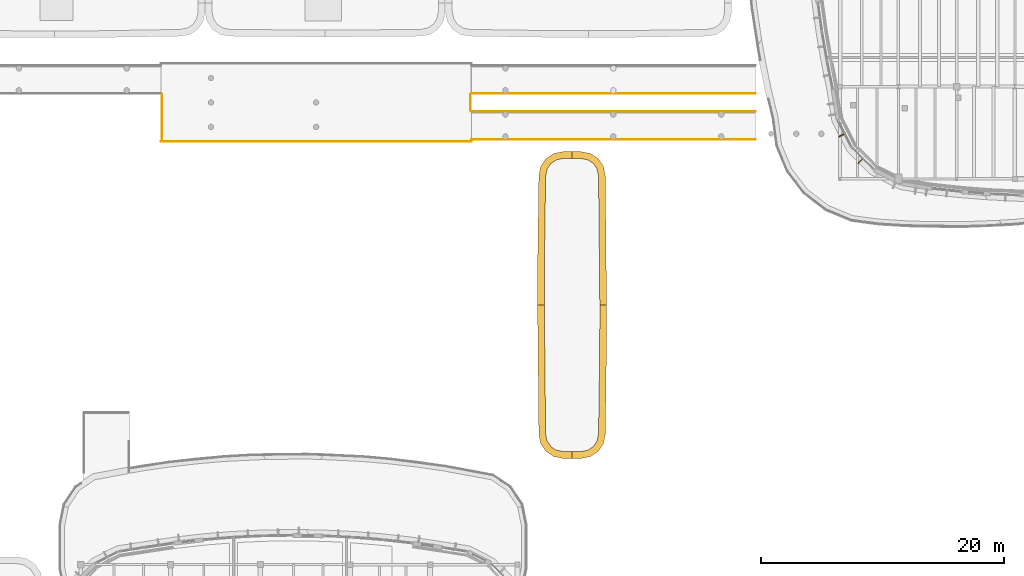
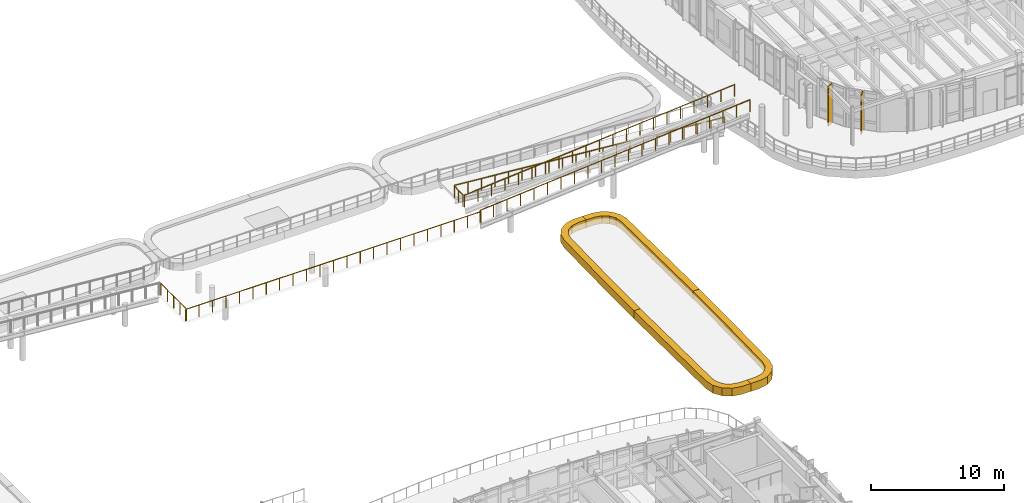
# One storey, part 102 of 111: 6 coverings, 6 railings.
"""IFC4 building model written with IfcOpenShell, lengths in metres."""

import ifcopenshell
import ifcopenshell.guid

model = None  # the IFC model being written
_history = None  # IfcOwnerHistory: only IFC2X3 demands one
_inside = {}  # id of a spatial element -> (the spatial element, [elements in it])
_under = {}  # id of a project, library or spatial element -> (it, [spatial elements below it])
_declared = {}  # id of a project -> (the project, [libraries it declares])
_typed = {}  # id of a type object -> (the type object, [elements of that type])
_made_of = {}  # id of a material, layer set ... -> (it, [elements and type objects made of it])


def new_model(schema):
    """Start an empty IFC model of exactly this schema.

    Asked for "IFC4X3", IfcOpenShell would pick the latest addendum, in which some entities
    have other attributes; the version numbers below select the first issue.
    IFC2X3 requires an IfcOwnerHistory on every rooted entity: one is made here for all.
    """
    global model, _history
    if schema == "IFC4X3":
        model = ifcopenshell.file(schema_version=(4, 3, 0, 0))
    else:
        model = ifcopenshell.file(schema=schema)
    _inside.clear()
    _under.clear()
    _declared.clear()
    _typed.clear()
    _made_of.clear()
    _history = None
    if model.schema == "IFC2X3":
        org = make("IfcOrganization", Name="unknown")
        user = make(
            "IfcPersonAndOrganization",
            ThePerson=make("IfcPerson", FamilyName="unknown"),
            TheOrganization=org,
        )
        app = make(
            "IfcApplication",
            ApplicationDeveloper=org,
            Version="unknown",
            ApplicationFullName="unknown",
            ApplicationIdentifier="unknown",
        )
        _history = make(
            "IfcOwnerHistory",
            OwningUser=user,
            OwningApplication=app,
            ChangeAction="ADDED",
            CreationDate=0,
        )
    return model


def make(cls, **values):
    """One entity of the class cls with the attributes given. An attribute that is None is left unset."""
    return model.create_entity(
        cls, **{name: value for name, value in values.items() if value is not None}
    )


def rooted(cls, **values):
    """An entity with a GlobalId (a new one), such as an element, a storey or a relation."""
    return make(cls, GlobalId=ifcopenshell.guid.new(), OwnerHistory=_history, **values)


def si_unit(unit_type, name, prefix=None):
    """IfcSIUnit, for example si_unit("LENGTHUNIT", "METRE", prefix="MILLI")."""
    return make("IfcSIUnit", UnitType=unit_type, Prefix=prefix, Name=name)


def assignment(units):
    """IfcUnitAssignment: the units of a project."""
    return None if units is None else make("IfcUnitAssignment", Units=units)


def point(xyz):
    """IfcCartesianPoint."""
    return None if xyz is None else make("IfcCartesianPoint", Coordinates=xyz)


def direction(xyz):
    """IfcDirection."""
    return None if xyz is None else make("IfcDirection", DirectionRatios=xyz)


def frame(location, z_axis=None, x_axis=None):
    """IfcAxis2Placement3D, a coordinate frame: its origin and axes. An axis left out is left unset."""
    return make(
        "IfcAxis2Placement3D",
        Location=point(location),
        Axis=direction(z_axis),
        RefDirection=direction(x_axis),
    )


def frame_2d(location, x_axis=None):
    """IfcAxis2Placement2D, a coordinate frame in the plane: its origin and x axis."""
    return make(
        "IfcAxis2Placement2D", Location=point(location), RefDirection=direction(x_axis)
    )


def origin():
    """The frame at (0, 0, 0) with its axes left unset."""
    return frame((0.0, 0.0, 0.0))


def origin_2d():
    """The frame at (0, 0) in the plane with its x axis left unset."""
    return frame_2d((0.0, 0.0))


def place(relative_to, where):
    """IfcLocalPlacement: puts the frame where relative to a parent placement (None: the world)."""
    return make(
        "IfcLocalPlacement", PlacementRelTo=relative_to, RelativePlacement=where
    )


def context(
    kind, dimensions, precision=None, world=None, true_north=None, identifier=None
):
    """IfcGeometricRepresentationContext, for example the 3D "Model" context."""
    return make(
        "IfcGeometricRepresentationContext",
        ContextIdentifier=identifier,
        ContextType=kind,
        CoordinateSpaceDimension=dimensions,
        Precision=precision,
        WorldCoordinateSystem=world,
        TrueNorth=true_north,
    )


def subcontext(parent, identifier, kind, view, scale=None):
    """IfcGeometricRepresentationSubContext, for example "Body" below "Model"."""
    return make(
        "IfcGeometricRepresentationSubContext",
        ContextIdentifier=identifier,
        ContextType=kind,
        ParentContext=parent,
        TargetScale=scale,
        TargetView=view,
    )


def project(units=None, contexts=None):
    """IfcProject with its units and contexts."""
    return rooted(
        "IfcProject",
        Name="project",
        RepresentationContexts=contexts,
        UnitsInContext=assignment(units),
    )


def spatial(cls, under=None, at=None, **own):
    """A site, building, storey or space (cls), placed at a placement, below another one or the project."""
    s = rooted(cls, ObjectPlacement=at, **own)
    if under is not None:
        _under.setdefault(under.id(), (under, []))[1].append(s)
    return s


def polyline(points):
    """IfcPolyline through the points."""
    return make("IfcPolyline", Points=[point(p) for p in points])


def profile(cls, at=None, kind="AREA", **sizes):
    """A parametric profile (cls). Its sizes go by their IFC names, for example OverallWidth=200.0."""
    return make(cls, ProfileType=kind, Position=at, **sizes)


def circle(**sizes):
    """IfcCircleProfileDef."""
    return profile("IfcCircleProfileDef", **sizes)


def outline(outer, holes=None, kind="AREA"):
    """IfcArbitraryClosedProfileDef: a profile drawn as a closed curve; with holes, ...WithVoids."""
    if holes is None:
        return make("IfcArbitraryClosedProfileDef", ProfileType=kind, OuterCurve=outer)
    return make(
        "IfcArbitraryProfileDefWithVoids",
        ProfileType=kind,
        OuterCurve=outer,
        InnerCurves=holes,
    )


def extrude(swept, where, along, depth):
    """IfcExtrudedAreaSolid: the profile swept, set in the frame where, extruded along a direction by depth."""
    return make(
        "IfcExtrudedAreaSolid",
        SweptArea=swept,
        Position=where,
        ExtrudedDirection=direction(along),
        Depth=depth,
    )


def shape(context_of_items, identifier, shape_type, items):
    """IfcShapeRepresentation: the items that make up one representation, for example the "Body"."""
    return make(
        "IfcShapeRepresentation",
        ContextOfItems=context_of_items,
        RepresentationIdentifier=identifier,
        RepresentationType=shape_type,
        Items=items,
    )


def material(Name=None, Category=None):
    """IfcMaterial."""
    return make("IfcMaterial", Name=Name, Category=Category)


def layer(
    of_material, thickness, ventilated=None, Name=None, Category=None, Priority=None
):
    """IfcMaterialLayer: one layer of a wall or slab, of a material (None: an air gap)."""
    return make(
        "IfcMaterialLayer",
        Material=of_material,
        LayerThickness=thickness,
        IsVentilated=ventilated,
        Name=Name,
        Category=Category,
        Priority=Priority,
    )


def layer_set(layers, Name=None):
    """IfcMaterialLayerSet."""
    return make("IfcMaterialLayerSet", MaterialLayers=layers, LayerSetName=Name)


def made_of(thing, what):
    """Note that an element or type object is made of a material, layer set ...; save() writes the relation."""
    if what is not None:
        _made_of.setdefault(what.id(), (what, []))[1].append(thing)
    return thing


def type_object(cls, material=None, **own):
    """A type object (cls), such as IfcWallType, which elements share."""
    return made_of(rooted(cls, **own), material)


def element(
    cls,
    number,
    at=None,
    inside=None,
    cuts=None,
    type_object=None,
    material=None,
    context=None,
    identifier="Body",
    shape_type=None,
    held_by="IfcProductDefinitionShape",
    body=None,
    shapes=None,
    **own,
):
    """One element of the class cls, such as IfcWall. Its Tag is "e" and its number.

    at: its placement. inside: the storey or other place that contains it. cuts: it is an
    opening in that element (IfcRelVoidsElement). A single representation is given by context,
    identifier, shape_type and body (its items); several are given by shapes. held_by: the class
    of the entity that holds the representations. save() writes the other relations.
    """
    e = rooted(cls, Tag="e%d" % number, ObjectPlacement=at, **own)
    if body is not None:
        shapes = [shape(context, identifier, shape_type, body)]
    if shapes is not None:
        e.Representation = make(held_by, Representations=shapes)
    if inside is not None:
        _inside.setdefault(inside.id(), (inside, []))[1].append(e)
    if cuts is not None:
        rooted(
            "IfcRelVoidsElement", RelatingBuildingElement=cuts, RelatedOpeningElement=e
        )
    if type_object is not None:
        _typed.setdefault(type_object.id(), (type_object, []))[1].append(e)
    return made_of(e, material)


def aggregate(whole, parts):
    """IfcRelAggregates: a whole, such as a stair, and the parts it consists of."""
    return rooted("IfcRelAggregates", RelatingObject=whole, RelatedObjects=parts)


def save(model, path):
    """Write the relations noted so far, then the file.

    IfcRelAggregates (storeys below a building ...), IfcRelContainedInSpatialStructure (elements
    in a storey), IfcRelDefinesByType, IfcRelAssociatesMaterial and IfcRelDeclares: one each for
    every whole, place, type object, material and project.
    """
    for whole, parts in _under.values():
        aggregate(whole, parts)
    for where, things in _inside.values():
        rooted(
            "IfcRelContainedInSpatialStructure",
            RelatedElements=things,
            RelatingStructure=where,
        )
    for kind, things in _typed.values():
        rooted("IfcRelDefinesByType", RelatedObjects=things, RelatingType=kind)
    for what, things in _made_of.values():
        rooted("IfcRelAssociatesMaterial", RelatedObjects=things, RelatingMaterial=what)
    for by, libraries in _declared.values():
        rooted("IfcRelDeclares", RelatingContext=by, RelatedDefinitions=libraries)
    model.write(path)


model = new_model("IFC4")

# Units and contexts
model_context = context("Model", 3, precision=1e-05, world=origin(), true_north=direction((0.0, 1.0)))
body_context = subcontext(model_context, "Body", "Model", "MODEL_VIEW")
ifc_project = project(units=[si_unit("LENGTHUNIT", "METRE"), si_unit("AREAUNIT", "SQUARE_METRE"), si_unit("VOLUMEUNIT", "CUBIC_METRE"), si_unit("PLANEANGLEUNIT", "RADIAN"), si_unit("MASSUNIT", "GRAM", prefix="KILO")], contexts=[model_context])

# Site, building, storey
site_placement = place(None, origin())
site = spatial("IfcSite", under=ifc_project, at=site_placement, CompositionType="ELEMENT")
building_placement = place(site_placement, origin())
building = spatial("IfcBuilding", under=site, at=building_placement, Name="Corveleigh Park Community Centre", CompositionType="ELEMENT")
storey_placement = place(building_placement, frame((0.0, 0.0, 4.800048828125)))
storey = spatial("IfcBuildingStorey", under=building, at=storey_placement, Name="L01", CompositionType="ELEMENT", Elevation=4.800048828125)

# Coverings
ifc_material_1 = material(Name="Warm buff ribbed architectural cladding", Category="masonry")
ifc_layer_1 = layer(ifc_material_1, 0.0849609375, Name="Warm buff ribbed architectural cladding", Category="masonry")
ifc_layer_set_1 = layer_set([ifc_layer_1], Name="Warm buff ribbed architectural cladding")
covering_type_1 = type_object("IfcCoveringType", Name="COV-CLD-BUF", PredefinedType="CLADDING", material=ifc_layer_set_1)
covering_1_placement = place(storey_placement, origin())
element("IfcCovering", 1, at=covering_1_placement, inside=storey, type_object=covering_type_1, Name="V4 L01 Brise-soleil blade 293", PredefinedType="CLADDING", context=body_context, shape_type="SweptSolid", body=[
    extrude(outline(polyline([(135.02099609375, 62.2939453125), (134.98193359375, 62.3701171875), (134.465087890625, 62.10595703125), (134.50390625, 62.031005859375), (135.02099609375, 62.2939453125)])), origin(), (0.0, 0.0, 1.0), 3.636962890625),
])
covering_2_placement = place(storey_placement, origin())
element("IfcCovering", 2, at=covering_2_placement, inside=storey, type_object=covering_type_1, Name="V4 L01 Brise-soleil blade 294", PredefinedType="CLADDING", context=body_context, shape_type="SweptSolid", body=[
    extrude(outline(polyline([(136.51708984375, 60.257080078125), (136.45703125, 60.31689453125), (136.047119140625, 59.906982421875), (136.10693359375, 59.846923828125), (136.51708984375, 60.257080078125)])), origin(), (0.0, 0.0, 1.0), 3.636962890625),
])
ifc_material_2 = material(Name="White architectural fascia cladding", Category="masonry")
ifc_layer_2 = layer(ifc_material_2, 0.074951171875, Name="White architectural fascia cladding", Category="masonry")
ifc_layer_set_2 = layer_set([ifc_layer_2], Name="White architectural fascia cladding")
covering_type_2 = type_object("IfcCoveringType", Name="COV-CLD-WHT", PredefinedType="CLADDING", material=ifc_layer_set_2)
covering_3_placement = place(storey_placement, frame((0.0, 0.0, -0.52001953125)))
element("IfcCovering", 3, at=covering_3_placement, inside=storey, type_object=covering_type_2, Name="Covered Passage East Canopy White Fascia 1", PredefinedType="CLADDING", context=body_context, shape_type="SweptSolid", body=[
    extrude(outline(polyline([(113.256103515625, 60.840087890625), (114.014892578125, 60.68896484375), (114.658935546875, 60.259033203125), (115.089111328125, 59.614990234375), (115.239013671875, 58.864013671875), (115.345947265625, 48.200927734375), (114.785888671875, 48.200927734375), (114.680908203125, 58.802001953125), (114.56201171875, 59.39697265625), (114.256103515625, 59.85595703125), (113.797119140625, 60.162109375), (113.205078125, 60.280029296875), (112.506103515625, 60.280029296875), (112.506103515625, 60.840087890625), (113.256103515625, 60.840087890625)])), origin(), (0.0, 0.0, 1.0), 0.719970703125),
])
covering_4_placement = place(storey_placement, frame((0.0, 0.0, -0.52001953125)))
element("IfcCovering", 4, at=covering_4_placement, inside=storey, type_object=covering_type_2, Name="Covered Passage East Canopy White Fascia 2", PredefinedType="CLADDING", context=body_context, shape_type="SweptSolid", body=[
    extrude(outline(polyline([(109.662109375, 51.751953125), (109.760009765625, 58.85693359375), (109.910888671875, 59.614990234375), (110.341064453125, 60.259033203125), (110.985107421875, 60.68896484375), (111.736083984375, 60.839111328125), (112.493896484375, 60.840087890625), (112.493896484375, 60.280029296875), (111.794921875, 60.280029296875), (111.202880859375, 60.162109375), (110.743896484375, 59.85595703125), (110.43798828125, 59.39697265625), (110.319091796875, 58.801025390625), (110.221923828125, 51.748046875), (110.214111328125, 48.200927734375), (109.654052734375, 48.200927734375), (109.662109375, 51.751953125)])), origin(), (0.0, 0.0, 1.0), 0.719970703125),
])
covering_5_placement = place(storey_placement, frame((0.0, 0.0, -0.52001953125)))
element("IfcCovering", 5, at=covering_5_placement, inside=storey, type_object=covering_type_2, Name="Covered Passage East Canopy White Fascia 3", PredefinedType="CLADDING", context=body_context, shape_type="SweptSolid", body=[
    extrude(outline(polyline([(110.97802734375, 35.715087890625), (110.3359375, 36.14697265625), (109.910888671875, 36.784912109375), (109.760986328125, 37.535888671875), (109.654052734375, 48.198974609375), (110.214111328125, 48.198974609375), (110.319091796875, 37.597900390625), (110.43798828125, 37.0029296875), (110.743896484375, 36.5439453125), (111.202880859375, 36.238037109375), (111.794921875, 36.1201171875), (112.493896484375, 36.1201171875), (112.493896484375, 35.56005859375), (111.736083984375, 35.56103515625), (110.97802734375, 35.715087890625)])), origin(), (0.0, 0.0, 1.0), 0.719970703125),
])
covering_6_placement = place(storey_placement, frame((0.0, 0.0, -0.52001953125)))
element("IfcCovering", 6, at=covering_6_placement, inside=storey, type_object=covering_type_2, Name="Covered Passage East Canopy White Fascia 4", PredefinedType="CLADDING", context=body_context, shape_type="SweptSolid", body=[
    extrude(outline(polyline([(115.337890625, 44.64794921875), (115.239990234375, 37.54296875), (115.089111328125, 36.784912109375), (114.658935546875, 36.14111328125), (114.014892578125, 35.7109375), (113.263916015625, 35.56103515625), (112.506103515625, 35.56005859375), (112.506103515625, 36.1201171875), (113.205078125, 36.1201171875), (113.797119140625, 36.238037109375), (114.256103515625, 36.5439453125), (114.56201171875, 37.0029296875), (114.680908203125, 37.59912109375), (114.778076171875, 44.652099609375), (114.785888671875, 48.198974609375), (115.345947265625, 48.198974609375), (115.337890625, 44.64794921875)])), origin(), (0.0, 0.0, 1.0), 0.719970703125),
])

# Railings
ifc_material_3 = material(Name="Stainless steel 316 balustrade", Category="steel")
railing_type = type_object("IfcRailingType", Name="RLG-BAL-EXT-1100", PredefinedType="BALUSTRADE", material=ifc_material_3)
railing_1_placement = place(storey_placement, frame((127.60009765625, 65.64990234375, 0.0)))
element("IfcRailing", 7, at=railing_1_placement, inside=storey, type_object=railing_type, Name="Courtyard West Roof Promenade Ramp Lower Guard L", PredefinedType="BALUSTRADE", context=body_context, shape_type="SweptSolid", body=[
    extrude(circle(Radius=0.02392578125, at=origin_2d()), frame((0.0, 0.0, 1.076171875), z_axis=(-0.996545973357, 0.0, 0.083042898465), x_axis=(0.0, -1.0, 0.0)), (0.0, 0.0, 1.0), 23.481201171875),
    extrude(circle(Radius=0.02099609375, at=origin_2d()), origin(), (0.0, 0.0, 1.0), 1.052001953125),
    extrude(circle(Radius=0.02099609375, at=origin_2d()), frame((-1.169921875, 0.0, 0.097412109375)), (0.0, 0.0, 1.0), 1.052001953125),
    extrude(circle(Radius=0.02099609375, at=origin_2d()), frame((-2.340087890625, 0.0, 0.195068359375)), (0.0, 0.0, 1.0), 1.052001953125),
    extrude(circle(Radius=0.02099609375, at=origin_2d()), frame((-3.510009765625, 0.0, 0.29248046875)), (0.0, 0.0, 1.0), 1.052001953125),
    extrude(circle(Radius=0.02099609375, at=origin_2d()), frame((-4.679931640625, 0.0, 0.389892578125)), (0.0, 0.0, 1.0), 1.052001953125),
    extrude(circle(Radius=0.02099609375, at=origin_2d()), frame((-5.85009765625, 0.0, 0.487548828125)), (0.0, 0.0, 1.0), 1.052001953125),
    extrude(circle(Radius=0.02099609375, at=origin_2d()), frame((-7.02001953125, 0.0, 0.5849609375)), (0.0, 0.0, 1.0), 1.052001953125),
    extrude(circle(Radius=0.02099609375, at=origin_2d()), frame((-8.18994140625, 0.0, 0.682373046875)), (0.0, 0.0, 1.0), 1.052001953125),
    extrude(circle(Radius=0.02099609375, at=origin_2d()), frame((-9.360107421875, 0.0, 0.780029296875)), (0.0, 0.0, 1.0), 1.052001953125),
    extrude(circle(Radius=0.02099609375, at=origin_2d()), frame((-10.530029296875, 0.0, 0.87744140625)), (0.0, 0.0, 1.0), 1.052001953125),
    extrude(circle(Radius=0.02099609375, at=origin_2d()), frame((-11.7001953125, 0.0, 0.97509765625)), (0.0, 0.0, 1.0), 1.052001953125),
    extrude(circle(Radius=0.02099609375, at=origin_2d()), frame((-12.8701171875, 0.0, 1.072509765625)), (0.0, 0.0, 1.0), 1.052001953125),
    extrude(circle(Radius=0.02099609375, at=origin_2d()), frame((-14.0400390625, 0.0, 1.169921875)), (0.0, 0.0, 1.0), 1.052001953125),
    extrude(circle(Radius=0.02099609375, at=origin_2d()), frame((-15.210205078125, 0.0, 1.267578125)), (0.0, 0.0, 1.0), 1.052001953125),
    extrude(circle(Radius=0.02099609375, at=origin_2d()), frame((-16.380126953125, 0.0, 1.364990234375)), (0.0, 0.0, 1.0), 1.052001953125),
    extrude(circle(Radius=0.02099609375, at=origin_2d()), frame((-17.550048828125, 0.0, 1.46240234375)), (0.0, 0.0, 1.0), 1.052001953125),
    extrude(circle(Radius=0.02099609375, at=origin_2d()), frame((-18.72021484375, 0.0, 1.56005859375)), (0.0, 0.0, 1.0), 1.052001953125),
    extrude(circle(Radius=0.02099609375, at=origin_2d()), frame((-19.89013671875, 0.0, 1.657470703125)), (0.0, 0.0, 1.0), 1.052001953125),
    extrude(circle(Radius=0.02099609375, at=origin_2d()), frame((-21.06005859375, 0.0, 1.7548828125)), (0.0, 0.0, 1.0), 1.052001953125),
    extrude(circle(Radius=0.02099609375, at=origin_2d()), frame((-22.230224609375, 0.0, 1.8525390625)), (0.0, 0.0, 1.0), 1.052001953125),
    extrude(circle(Radius=0.02099609375, at=origin_2d()), frame((-23.400146484375, 0.0, 1.949951171875)), (0.0, 0.0, 1.0), 1.052001953125),
])
railing_2_placement = place(storey_placement, frame((104.199951171875, 64.14990234375, 1.949951171875)))
element("IfcRailing", 8, at=railing_2_placement, inside=storey, type_object=railing_type, Name="Courtyard East Roof Promenade Ramp Upper Guard L", PredefinedType="BALUSTRADE", context=body_context, shape_type="SweptSolid", body=[
    extrude(circle(Radius=0.02392578125, at=origin_2d()), frame((0.0, 0.0, 1.076171875), z_axis=(0.996545973357, 0.0, 0.083042898465), x_axis=(0.0, 1.0, 0.0)), (0.0, 0.0, 1.0), 23.481201171875),
    extrude(circle(Radius=0.02099609375, at=origin_2d()), origin(), (0.0, 0.0, 1.0), 1.052001953125),
    extrude(circle(Radius=0.02099609375, at=origin_2d()), frame((1.169921875, 0.0, 0.097412109375)), (0.0, 0.0, 1.0), 1.052001953125),
    extrude(circle(Radius=0.02099609375, at=origin_2d()), frame((2.340087890625, 0.0, 0.195068359375)), (0.0, 0.0, 1.0), 1.052001953125),
    extrude(circle(Radius=0.02099609375, at=origin_2d()), frame((3.510009765625, 0.0, 0.29248046875)), (0.0, 0.0, 1.0), 1.052001953125),
    extrude(circle(Radius=0.02099609375, at=origin_2d()), frame((4.679931640625, 0.0, 0.389892578125)), (0.0, 0.0, 1.0), 1.052001953125),
    extrude(circle(Radius=0.02099609375, at=origin_2d()), frame((5.85009765625, 0.0, 0.487548828125)), (0.0, 0.0, 1.0), 1.052001953125),
    extrude(circle(Radius=0.02099609375, at=origin_2d()), frame((7.02001953125, 0.0, 0.5849609375)), (0.0, 0.0, 1.0), 1.052001953125),
    extrude(circle(Radius=0.02099609375, at=origin_2d()), frame((8.18994140625, 0.0, 0.682373046875)), (0.0, 0.0, 1.0), 1.052001953125),
    extrude(circle(Radius=0.02099609375, at=origin_2d()), frame((9.360107421875, 0.0, 0.780029296875)), (0.0, 0.0, 1.0), 1.052001953125),
    extrude(circle(Radius=0.02099609375, at=origin_2d()), frame((10.530029296875, 0.0, 0.87744140625)), (0.0, 0.0, 1.0), 1.052001953125),
    extrude(circle(Radius=0.02099609375, at=origin_2d()), frame((11.7001953125, 0.0, 0.97509765625)), (0.0, 0.0, 1.0), 1.052001953125),
    extrude(circle(Radius=0.02099609375, at=origin_2d()), frame((12.8701171875, 0.0, 1.072509765625)), (0.0, 0.0, 1.0), 1.052001953125),
    extrude(circle(Radius=0.02099609375, at=origin_2d()), frame((14.0400390625, 0.0, 1.169921875)), (0.0, 0.0, 1.0), 1.052001953125),
    extrude(circle(Radius=0.02099609375, at=origin_2d()), frame((15.210205078125, 0.0, 1.267578125)), (0.0, 0.0, 1.0), 1.052001953125),
    extrude(circle(Radius=0.02099609375, at=origin_2d()), frame((16.380126953125, 0.0, 1.364990234375)), (0.0, 0.0, 1.0), 1.052001953125),
    extrude(circle(Radius=0.02099609375, at=origin_2d()), frame((17.550048828125, 0.0, 1.46240234375)), (0.0, 0.0, 1.0), 1.052001953125),
    extrude(circle(Radius=0.02099609375, at=origin_2d()), frame((18.72021484375, 0.0, 1.56005859375)), (0.0, 0.0, 1.0), 1.052001953125),
    extrude(circle(Radius=0.02099609375, at=origin_2d()), frame((19.89013671875, 0.0, 1.657470703125)), (0.0, 0.0, 1.0), 1.052001953125),
    extrude(circle(Radius=0.02099609375, at=origin_2d()), frame((21.06005859375, 0.0, 1.7548828125)), (0.0, 0.0, 1.0), 1.052001953125),
    extrude(circle(Radius=0.02099609375, at=origin_2d()), frame((22.230224609375, 0.0, 1.8525390625)), (0.0, 0.0, 1.0), 1.052001953125),
    extrude(circle(Radius=0.02099609375, at=origin_2d()), frame((23.400146484375, 0.0, 1.949951171875)), (0.0, 0.0, 1.0), 1.052001953125),
])
railing_3_placement = place(storey_placement, frame((104.199951171875, 61.85009765625, 1.949951171875)))
element("IfcRailing", 9, at=railing_3_placement, inside=storey, type_object=railing_type, Name="Courtyard East Roof Promenade Ramp Upper Guard R", PredefinedType="BALUSTRADE", context=body_context, shape_type="SweptSolid", body=[
    extrude(circle(Radius=0.02392578125, at=origin_2d()), frame((0.0, 0.0, 1.076171875), z_axis=(0.996545973357, 0.0, 0.083042898465), x_axis=(0.0, 1.0, 0.0)), (0.0, 0.0, 1.0), 23.481201171875),
    extrude(circle(Radius=0.02099609375, at=origin_2d()), origin(), (0.0, 0.0, 1.0), 1.052001953125),
    extrude(circle(Radius=0.02099609375, at=origin_2d()), frame((1.169921875, 0.0, 0.097412109375)), (0.0, 0.0, 1.0), 1.052001953125),
    extrude(circle(Radius=0.02099609375, at=origin_2d()), frame((2.340087890625, 0.0, 0.195068359375)), (0.0, 0.0, 1.0), 1.052001953125),
    extrude(circle(Radius=0.02099609375, at=origin_2d()), frame((3.510009765625, 0.0, 0.29248046875)), (0.0, 0.0, 1.0), 1.052001953125),
    extrude(circle(Radius=0.02099609375, at=origin_2d()), frame((4.679931640625, 0.0, 0.389892578125)), (0.0, 0.0, 1.0), 1.052001953125),
    extrude(circle(Radius=0.02099609375, at=origin_2d()), frame((5.85009765625, 0.0, 0.487548828125)), (0.0, 0.0, 1.0), 1.052001953125),
    extrude(circle(Radius=0.02099609375, at=origin_2d()), frame((7.02001953125, 0.0, 0.5849609375)), (0.0, 0.0, 1.0), 1.052001953125),
    extrude(circle(Radius=0.02099609375, at=origin_2d()), frame((8.18994140625, 0.0, 0.682373046875)), (0.0, 0.0, 1.0), 1.052001953125),
    extrude(circle(Radius=0.02099609375, at=origin_2d()), frame((9.360107421875, 0.0, 0.780029296875)), (0.0, 0.0, 1.0), 1.052001953125),
    extrude(circle(Radius=0.02099609375, at=origin_2d()), frame((10.530029296875, 0.0, 0.87744140625)), (0.0, 0.0, 1.0), 1.052001953125),
    extrude(circle(Radius=0.02099609375, at=origin_2d()), frame((11.7001953125, 0.0, 0.97509765625)), (0.0, 0.0, 1.0), 1.052001953125),
    extrude(circle(Radius=0.02099609375, at=origin_2d()), frame((12.8701171875, 0.0, 1.072509765625)), (0.0, 0.0, 1.0), 1.052001953125),
    extrude(circle(Radius=0.02099609375, at=origin_2d()), frame((14.0400390625, 0.0, 1.169921875)), (0.0, 0.0, 1.0), 1.052001953125),
    extrude(circle(Radius=0.02099609375, at=origin_2d()), frame((15.210205078125, 0.0, 1.267578125)), (0.0, 0.0, 1.0), 1.052001953125),
    extrude(circle(Radius=0.02099609375, at=origin_2d()), frame((16.380126953125, 0.0, 1.364990234375)), (0.0, 0.0, 1.0), 1.052001953125),
    extrude(circle(Radius=0.02099609375, at=origin_2d()), frame((17.550048828125, 0.0, 1.46240234375)), (0.0, 0.0, 1.0), 1.052001953125),
    extrude(circle(Radius=0.02099609375, at=origin_2d()), frame((18.72021484375, 0.0, 1.56005859375)), (0.0, 0.0, 1.0), 1.052001953125),
    extrude(circle(Radius=0.02099609375, at=origin_2d()), frame((19.89013671875, 0.0, 1.657470703125)), (0.0, 0.0, 1.0), 1.052001953125),
    extrude(circle(Radius=0.02099609375, at=origin_2d()), frame((21.06005859375, 0.0, 1.7548828125)), (0.0, 0.0, 1.0), 1.052001953125),
    extrude(circle(Radius=0.02099609375, at=origin_2d()), frame((22.230224609375, 0.0, 1.8525390625)), (0.0, 0.0, 1.0), 1.052001953125),
    extrude(circle(Radius=0.02099609375, at=origin_2d()), frame((23.400146484375, 0.0, 1.949951171875)), (0.0, 0.0, 1.0), 1.052001953125),
])
railing_4_placement = place(storey_placement, frame((78.60009765625, 61.679931640625, 1.949951171875)))
element("IfcRailing", 10, at=railing_4_placement, inside=storey, type_object=railing_type, Name="Roof Promenade Bridge Guard RLG-PBRG-WM-S", PredefinedType="BALUSTRADE", context=body_context, shape_type="SweptSolid", body=[
    extrude(circle(Radius=0.02392578125, at=origin_2d()), frame((0.0, 0.0, 1.076171875), z_axis=(1.0, 0.0, 0.0), x_axis=(0.0, 1.0, 0.0)), (0.0, 0.0, 1.0), 25.599853515625),
    extrude(circle(Radius=0.02099609375, at=origin_2d()), origin(), (0.0, 0.0, 1.0), 1.052001953125),
    extrude(circle(Radius=0.02099609375, at=origin_2d()), frame((1.16357421875, 0.0, 0.0)), (0.0, 0.0, 1.0), 1.052001953125),
    extrude(circle(Radius=0.02099609375, at=origin_2d()), frame((2.3271484375, 0.0, 0.0)), (0.0, 0.0, 1.0), 1.052001953125),
    extrude(circle(Radius=0.02099609375, at=origin_2d()), frame((3.490966796875, 0.0, 0.0)), (0.0, 0.0, 1.0), 1.052001953125),
    extrude(circle(Radius=0.02099609375, at=origin_2d()), frame((4.654541015625, 0.0, 0.0)), (0.0, 0.0, 1.0), 1.052001953125),
    extrude(circle(Radius=0.02099609375, at=origin_2d()), frame((5.818115234375, 0.0, 0.0)), (0.0, 0.0, 1.0), 1.052001953125),
    extrude(circle(Radius=0.02099609375, at=origin_2d()), frame((6.981689453125, 0.0, 0.0)), (0.0, 0.0, 1.0), 1.052001953125),
    extrude(circle(Radius=0.02099609375, at=origin_2d()), frame((8.1455078125, 0.0, 0.0)), (0.0, 0.0, 1.0), 1.052001953125),
    extrude(circle(Radius=0.02099609375, at=origin_2d()), frame((9.30908203125, 0.0, 0.0)), (0.0, 0.0, 1.0), 1.052001953125),
    extrude(circle(Radius=0.02099609375, at=origin_2d()), frame((10.47265625, 0.0, 0.0)), (0.0, 0.0, 1.0), 1.052001953125),
    extrude(circle(Radius=0.02099609375, at=origin_2d()), frame((11.63623046875, 0.0, 0.0)), (0.0, 0.0, 1.0), 1.052001953125),
    extrude(circle(Radius=0.02099609375, at=origin_2d()), frame((12.7998046875, 0.0, 0.0)), (0.0, 0.0, 1.0), 1.052001953125),
    extrude(circle(Radius=0.02099609375, at=origin_2d()), frame((13.963623046875, 0.0, 0.0)), (0.0, 0.0, 1.0), 1.052001953125),
    extrude(circle(Radius=0.02099609375, at=origin_2d()), frame((15.127197265625, 0.0, 0.0)), (0.0, 0.0, 1.0), 1.052001953125),
    extrude(circle(Radius=0.02099609375, at=origin_2d()), frame((16.290771484375, 0.0, 0.0)), (0.0, 0.0, 1.0), 1.052001953125),
    extrude(circle(Radius=0.02099609375, at=origin_2d()), frame((17.454345703125, 0.0, 0.0)), (0.0, 0.0, 1.0), 1.052001953125),
    extrude(circle(Radius=0.02099609375, at=origin_2d()), frame((18.6181640625, 0.0, 0.0)), (0.0, 0.0, 1.0), 1.052001953125),
    extrude(circle(Radius=0.02099609375, at=origin_2d()), frame((19.78173828125, 0.0, 0.0)), (0.0, 0.0, 1.0), 1.052001953125),
    extrude(circle(Radius=0.02099609375, at=origin_2d()), frame((20.9453125, 0.0, 0.0)), (0.0, 0.0, 1.0), 1.052001953125),
    extrude(circle(Radius=0.02099609375, at=origin_2d()), frame((22.10888671875, 0.0, 0.0)), (0.0, 0.0, 1.0), 1.052001953125),
    extrude(circle(Radius=0.02099609375, at=origin_2d()), frame((23.272705078125, 0.0, 0.0)), (0.0, 0.0, 1.0), 1.052001953125),
    extrude(circle(Radius=0.02099609375, at=origin_2d()), frame((24.436279296875, 0.0, 0.0)), (0.0, 0.0, 1.0), 1.052001953125),
    extrude(circle(Radius=0.02099609375, at=origin_2d()), frame((25.599853515625, 0.0, 0.0)), (0.0, 0.0, 1.0), 1.052001953125),
])
railing_5_placement = place(storey_placement, frame((78.679931640625, 61.679931640625, 1.949951171875)))
element("IfcRailing", 11, at=railing_5_placement, inside=storey, type_object=railing_type, Name="Roof Promenade Bridge Guard RLG-PBRG-WM-W", PredefinedType="BALUSTRADE", context=body_context, shape_type="SweptSolid", body=[
    extrude(circle(Radius=0.02392578125, at=origin_2d()), frame((0.0, 0.0, 1.076171875), z_axis=(0.0, 1.0, 0.0), x_axis=(-1.0, 0.0, 0.0)), (0.0, 0.0, 1.0), 3.8701171875),
    extrude(circle(Radius=0.02099609375, at=origin_2d()), origin(), (0.0, 0.0, 1.0), 1.052001953125),
    extrude(circle(Radius=0.02099609375, at=origin_2d()), frame((0.0, 0.967529296875, 0.0)), (0.0, 0.0, 1.0), 1.052001953125),
    extrude(circle(Radius=0.02099609375, at=origin_2d()), frame((0.0, 1.93505859375, 0.0)), (0.0, 0.0, 1.0), 1.052001953125),
    extrude(circle(Radius=0.02099609375, at=origin_2d()), frame((0.0, 2.902587890625, 0.0)), (0.0, 0.0, 1.0), 1.052001953125),
    extrude(circle(Radius=0.02099609375, at=origin_2d()), frame((0.0, 3.8701171875, 0.0)), (0.0, 0.0, 1.0), 1.052001953125),
])
railing_6_placement = place(storey_placement, frame((104.1201171875, 64.25, 1.949951171875)))
element("IfcRailing", 12, at=railing_6_placement, inside=storey, type_object=railing_type, Name="Roof Promenade Bridge Guard RLG-PBRG-WM-E", PredefinedType="BALUSTRADE", context=body_context, shape_type="SweptSolid", body=[
    extrude(circle(Radius=0.02392578125, at=origin_2d()), frame((0.0, 0.0, 1.076171875), z_axis=(0.0, 1.0, 0.0), x_axis=(-1.0, 0.0, 0.0)), (0.0, 0.0, 1.0), 1.300048828125),
    extrude(circle(Radius=0.02099609375, at=origin_2d()), origin(), (0.0, 0.0, 1.0), 1.052001953125),
    extrude(circle(Radius=0.02099609375, at=origin_2d()), frame((0.0, 0.64990234375, 0.0)), (0.0, 0.0, 1.0), 1.052001953125),
    extrude(circle(Radius=0.02099609375, at=origin_2d()), frame((0.0, 1.300048828125, 0.0)), (0.0, 0.0, 1.0), 1.052001953125),
])

save(model, "model.ifc")
